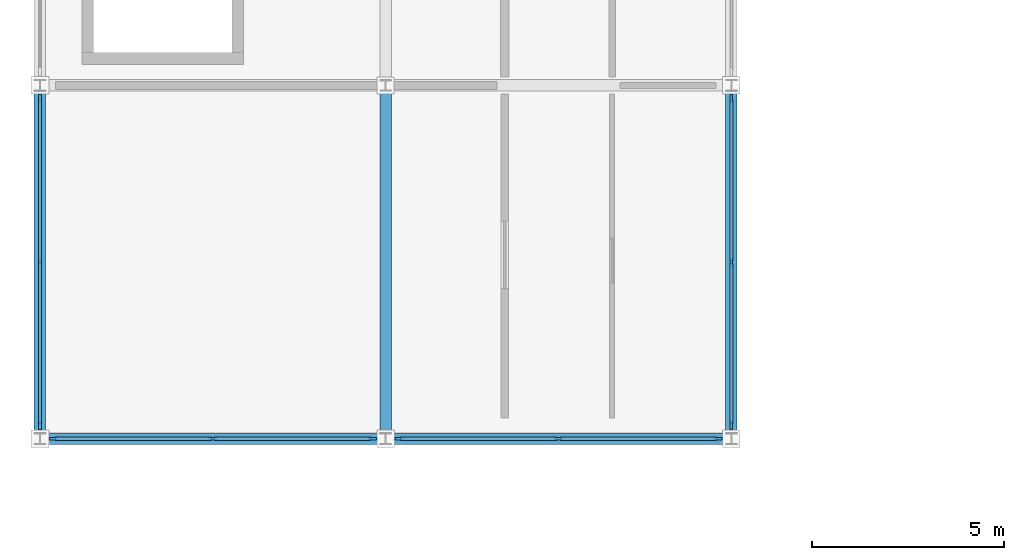
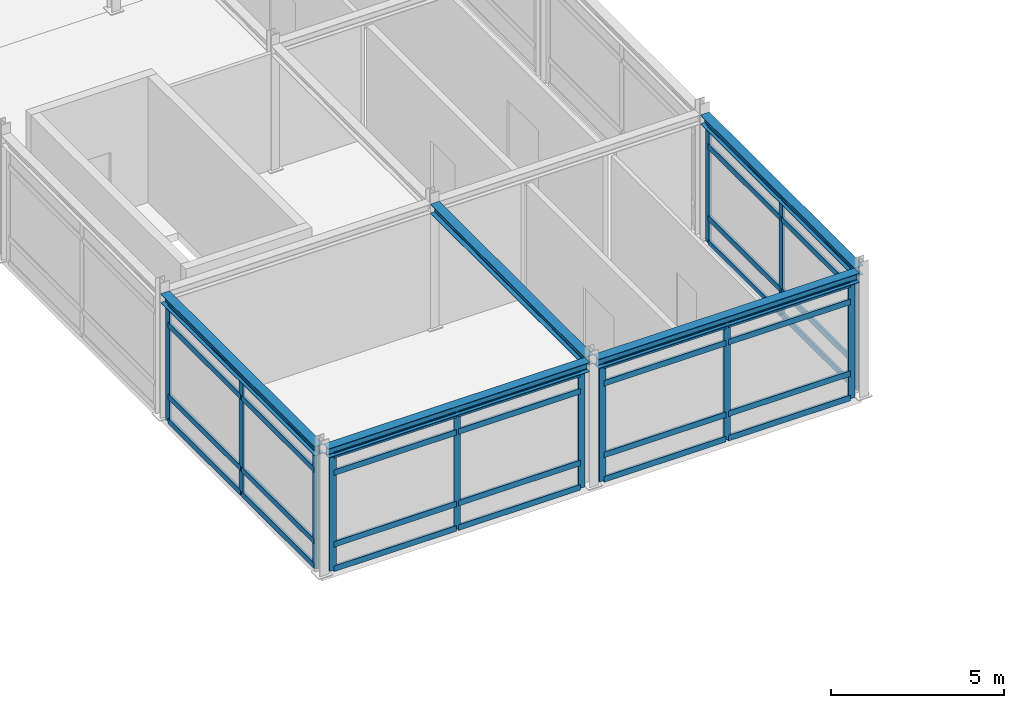
# One storey, part 21 of 90: 44 members, 5 beams, 4 elements without a shape of their own.
"""IFC4 building model written with IfcOpenShell, lengths in metres."""

from ifc_helpers import new_model, si_unit, direction, frame, origin, origin_2d, place, context, subcontext, project, spatial, rectangle, i_section, extrude, material, material_profile, profile_set, type_object, element, aggregate, save


model = new_model("IFC4")

# Units and contexts
model_context = context("Model", 3, precision=1e-05, world=origin(), true_north=direction((0.0, 1.0)))
body_context = subcontext(model_context, "Body", "Model", "MODEL_VIEW")
ifc_project = project(units=[si_unit("LENGTHUNIT", "METRE"), si_unit("AREAUNIT", "SQUARE_METRE"), si_unit("VOLUMEUNIT", "CUBIC_METRE"), si_unit("PLANEANGLEUNIT", "RADIAN"), si_unit("MASSUNIT", "GRAM", prefix="KILO")], contexts=[model_context])

# Site, building, storey
site_placement = place(None, origin())
site = spatial("IfcSite", under=ifc_project, at=site_placement, CompositionType="ELEMENT")
building_placement = place(site_placement, origin())
building = spatial("IfcBuilding", under=site, at=building_placement, Name="Bozkorgan Art Gallery", CompositionType="ELEMENT")
storey_placement = place(building_placement, frame((0.0, 0.0, 5.39990234375)))
storey = spatial("IfcBuildingStorey", under=building, at=storey_placement, Name="L01", CompositionType="ELEMENT", Elevation=5.39990234375)

# Beams
ifc_material_1 = material(Name="Steel S355J2", Category="steel")
ifc_material_profile_1 = material_profile(ifc_material_1, i_section(OverallWidth=0.300048828125, OverallDepth=0.330078125, WebThickness=0.009521484375, FlangeThickness=0.0166015625, FilletRadius=0.027099609375, at=origin_2d()), Name="HEA 340")
ifc_profile_set_1 = profile_set([ifc_material_profile_1], Name="Steel S355J2")
beam_type = type_object("IfcBeamType", Name="BEAM-BM-37", PredefinedType="BEAM", material=ifc_profile_set_1)
for number, where, z_axis, x_axis, name in (
    (1, (2.14990234375, 56.800048828125, 4.275146484375), (1.0, 0.0, 0.0), (0.0, 1.0, 0.0), "V2 L01 beam X (2-11, 56.8)"),
    (2, (11.14990234375, 56.800048828125, 4.275146484375), (1.0, 0.0, 0.0), (0.0, 1.0, 0.0), "V2 L01 beam X (11-20, 56.8)"),
):
    element("IfcBeam", number, at=place(storey_placement, frame(where, z_axis=z_axis, x_axis=x_axis)), inside=storey, type_object=beam_type, Name=name, PredefinedType="BEAM", context=body_context, shape_type="SweptSolid", body=[
        extrude(i_section(OverallWidth=0.300048828125, OverallDepth=0.330078125, WebThickness=0.009521484375, FlangeThickness=0.0166015625, FilletRadius=0.027099609375, at=origin_2d()), origin(), (0.0, 0.0, 1.0), 8.7001953125),
    ])
beam_1_placement = place(storey_placement, frame((2.0, 56.949951171875, 4.275146484375), z_axis=(0.0, 1.0, 0.0), x_axis=(-1.0, 0.0, 0.0)))
element("IfcBeam", 3, at=beam_1_placement, inside=storey, type_object=beam_type, Name="V2 L01 beam Y (2, 56.8-66.0)", PredefinedType="BEAM", context=body_context, shape_type="SweptSolid", body=[
    extrude(i_section(OverallWidth=0.300048828125, OverallDepth=0.330078125, WebThickness=0.009521484375, FlangeThickness=0.0166015625, FilletRadius=0.027099609375, at=origin_2d()), origin(), (0.0, 0.0, 1.0), 8.900146484375),
])
beam_2_placement = place(storey_placement, frame((11.0, 56.949951171875, 4.275146484375), z_axis=(0.0, 1.0, 0.0), x_axis=(-1.0, 0.0, 0.0)))
element("IfcBeam", 4, at=beam_2_placement, inside=storey, type_object=beam_type, Name="V2 L01 beam Y (11, 56.8-66.0)", PredefinedType="BEAM", context=body_context, shape_type="SweptSolid", body=[
    extrude(i_section(OverallWidth=0.300048828125, OverallDepth=0.330078125, WebThickness=0.009521484375, FlangeThickness=0.0166015625, FilletRadius=0.027099609375, at=origin_2d()), origin(), (0.0, 0.0, 1.0), 8.91015625),
])
beam_3_placement = place(storey_placement, frame((20.0, 56.949951171875, 4.275146484375), z_axis=(0.0, 1.0, 0.0), x_axis=(-1.0, 0.0, 0.0)))
element("IfcBeam", 5, at=beam_3_placement, inside=storey, type_object=beam_type, Name="V2 L01 beam Y (20, 56.8-66.0)", PredefinedType="BEAM", context=body_context, shape_type="SweptSolid", body=[
    extrude(i_section(OverallWidth=0.300048828125, OverallDepth=0.330078125, WebThickness=0.009521484375, FlangeThickness=0.0166015625, FilletRadius=0.027099609375, at=origin_2d()), origin(), (0.0, 0.0, 1.0), 8.900146484375),
])

# Curtain wall, members
ifc_material_2 = material(Name="Anodised Bronze Aluminium", Category="aluminium")
curtain_wall_type_1 = type_object("IfcCurtainWallType", Name="CW-CW-74", PredefinedType="NOTDEFINED", material=ifc_material_2)
curtain_wall_1_placement = place(storey_placement, origin())
curtain_wall_1 = element("IfcCurtainWall", 6, at=curtain_wall_1_placement, inside=storey, type_object=curtain_wall_type_1, Name="L01 unitised curtain wall CW-V2-L01-1S-01", PredefinedType="NOTDEFINED")
ifc_material_profile_2 = material_profile(ifc_material_2, rectangle(XDim=0.074951171875, YDim=0.219970703125, at=origin_2d()), Name="ALU MULLION 75x220")
ifc_profile_set_2 = profile_set([ifc_material_profile_2], Name="Anodised Bronze Aluminium")
member_type_1 = type_object("IfcMemberType", Name="CWM-02", PredefinedType="MULLION", material=ifc_profile_set_2)
member_1_placement = place(storey_placement, frame((2.3525390625, 56.800048828125, 0.02001953125), z_axis=(0.0, 0.0, 1.0), x_axis=(0.0, 1.0, 0.0)))
member_1 = element("IfcMember", 7, at=member_1_placement, type_object=member_type_1, Name="CW-74 mullion 1", PredefinedType="MULLION", context=body_context, shape_type="SweptSolid", body=[
    extrude(rectangle(XDim=0.074951171875, YDim=0.219970703125, at=origin_2d()), origin(), (0.0, 0.0, 1.0), 4.0751953125),
])
member_2_placement = place(storey_placement, frame((6.5, 56.800048828125, 0.02001953125), z_axis=(0.0, 0.0, 1.0), x_axis=(0.0, 1.0, 0.0)))
member_2 = element("IfcMember", 8, at=member_2_placement, type_object=member_type_1, Name="CW-74 mullion 2", PredefinedType="MULLION", context=body_context, shape_type="SweptSolid", body=[
    extrude(rectangle(XDim=0.074951171875, YDim=0.219970703125, at=origin_2d()), origin(), (0.0, 0.0, 1.0), 4.0751953125),
])
member_3_placement = place(storey_placement, frame((10.6474609375, 56.800048828125, 0.02001953125), z_axis=(0.0, 0.0, 1.0), x_axis=(0.0, 1.0, 0.0)))
member_3 = element("IfcMember", 9, at=member_3_placement, type_object=member_type_1, Name="CW-74 mullion 3", PredefinedType="MULLION", context=body_context, shape_type="SweptSolid", body=[
    extrude(rectangle(XDim=0.074951171875, YDim=0.219970703125, at=origin_2d()), origin(), (0.0, 0.0, 1.0), 4.0751953125),
])

curtain_wall_2_placement = place(storey_placement, origin())
curtain_wall_2 = element("IfcCurtainWall", 10, at=curtain_wall_2_placement, inside=storey, type_object=curtain_wall_type_1, Name="L01 unitised curtain wall CW-V2-L01-1S-03", PredefinedType="NOTDEFINED")
member_4_placement = place(storey_placement, frame((11.3525390625, 56.800048828125, 0.02001953125), z_axis=(0.0, 0.0, 1.0), x_axis=(0.0, 1.0, 0.0)))
member_4 = element("IfcMember", 11, at=member_4_placement, type_object=member_type_1, Name="CW-74 mullion 1", PredefinedType="MULLION", context=body_context, shape_type="SweptSolid", body=[
    extrude(rectangle(XDim=0.074951171875, YDim=0.219970703125, at=origin_2d()), origin(), (0.0, 0.0, 1.0), 4.0751953125),
])
member_5_placement = place(storey_placement, frame((15.5, 56.800048828125, 0.02001953125), z_axis=(0.0, 0.0, 1.0), x_axis=(0.0, 1.0, 0.0)))
member_5 = element("IfcMember", 12, at=member_5_placement, type_object=member_type_1, Name="CW-74 mullion 2", PredefinedType="MULLION", context=body_context, shape_type="SweptSolid", body=[
    extrude(rectangle(XDim=0.074951171875, YDim=0.219970703125, at=origin_2d()), origin(), (0.0, 0.0, 1.0), 4.0751953125),
])
member_6_placement = place(storey_placement, frame((19.6474609375, 56.800048828125, 0.02001953125), z_axis=(0.0, 0.0, 1.0), x_axis=(0.0, 1.0, 0.0)))
member_6 = element("IfcMember", 13, at=member_6_placement, type_object=member_type_1, Name="CW-74 mullion 3", PredefinedType="MULLION", context=body_context, shape_type="SweptSolid", body=[
    extrude(rectangle(XDim=0.074951171875, YDim=0.219970703125, at=origin_2d()), origin(), (0.0, 0.0, 1.0), 4.0751953125),
])

curtain_wall_type_2 = type_object("IfcCurtainWallType", Name="CW-CW-52", PredefinedType="NOTDEFINED", material=ifc_material_2)
curtain_wall_3_placement = place(storey_placement, origin())
curtain_wall_3 = element("IfcCurtainWall", 14, at=curtain_wall_3_placement, inside=storey, type_object=curtain_wall_type_2, Name="L01 unitised curtain wall CW-V2-L01-1W-05", PredefinedType="NOTDEFINED")
member_7_placement = place(storey_placement, frame((2.0, 57.152587890625, 0.02001953125), z_axis=(0.0, 0.0, 1.0), x_axis=(-1.0, 0.0, 0.0)))
member_7 = element("IfcMember", 15, at=member_7_placement, type_object=member_type_1, Name="CW-52 mullion 1", PredefinedType="MULLION", context=body_context, shape_type="SweptSolid", body=[
    extrude(rectangle(XDim=0.074951171875, YDim=0.219970703125, at=origin_2d()), origin(), (0.0, 0.0, 1.0), 4.0751953125),
])
member_8_placement = place(storey_placement, frame((2.0, 61.39990234375, 0.02001953125), z_axis=(0.0, 0.0, 1.0), x_axis=(-1.0, 0.0, 0.0)))
member_8 = element("IfcMember", 16, at=member_8_placement, type_object=member_type_1, Name="CW-52 mullion 2", PredefinedType="MULLION", context=body_context, shape_type="SweptSolid", body=[
    extrude(rectangle(XDim=0.074951171875, YDim=0.219970703125, at=origin_2d()), origin(), (0.0, 0.0, 1.0), 4.0751953125),
])
member_9_placement = place(storey_placement, frame((2.0, 65.6474609375, 0.02001953125), z_axis=(0.0, 0.0, 1.0), x_axis=(-1.0, 0.0, 0.0)))
member_9 = element("IfcMember", 17, at=member_9_placement, type_object=member_type_1, Name="CW-52 mullion 3", PredefinedType="MULLION", context=body_context, shape_type="SweptSolid", body=[
    extrude(rectangle(XDim=0.074951171875, YDim=0.219970703125, at=origin_2d()), origin(), (0.0, 0.0, 1.0), 4.0751953125),
])

curtain_wall_4_placement = place(storey_placement, origin())
curtain_wall_4 = element("IfcCurtainWall", 18, at=curtain_wall_4_placement, inside=storey, type_object=curtain_wall_type_2, Name="L01 unitised curtain wall CW-V2-L01-1E-06", PredefinedType="NOTDEFINED")
member_10_placement = place(storey_placement, frame((20.0, 57.152587890625, 0.02001953125), z_axis=(0.0, 0.0, 1.0), x_axis=(-1.0, 0.0, 0.0)))
member_10 = element("IfcMember", 19, at=member_10_placement, type_object=member_type_1, Name="CW-52 mullion 1", PredefinedType="MULLION", context=body_context, shape_type="SweptSolid", body=[
    extrude(rectangle(XDim=0.074951171875, YDim=0.219970703125, at=origin_2d()), origin(), (0.0, 0.0, 1.0), 4.0751953125),
])
member_11_placement = place(storey_placement, frame((20.0, 61.39990234375, 0.02001953125), z_axis=(0.0, 0.0, 1.0), x_axis=(-1.0, 0.0, 0.0)))
member_11 = element("IfcMember", 20, at=member_11_placement, type_object=member_type_1, Name="CW-52 mullion 2", PredefinedType="MULLION", context=body_context, shape_type="SweptSolid", body=[
    extrude(rectangle(XDim=0.074951171875, YDim=0.219970703125, at=origin_2d()), origin(), (0.0, 0.0, 1.0), 4.0751953125),
])
member_12_placement = place(storey_placement, frame((20.0, 65.6474609375, 0.02001953125), z_axis=(0.0, 0.0, 1.0), x_axis=(-1.0, 0.0, 0.0)))
member_12 = element("IfcMember", 21, at=member_12_placement, type_object=member_type_1, Name="CW-52 mullion 3", PredefinedType="MULLION", context=body_context, shape_type="SweptSolid", body=[
    extrude(rectangle(XDim=0.074951171875, YDim=0.219970703125, at=origin_2d()), origin(), (0.0, 0.0, 1.0), 4.0751953125),
])

# Member
ifc_material_profile_3 = material_profile(ifc_material_2, rectangle(XDim=0.080078125, YDim=0.199951171875, at=origin_2d()), Name="ALU TRANSOM 80x200")
ifc_profile_set_3 = profile_set([ifc_material_profile_3], Name="Anodised Bronze Aluminium")
member_type_2 = type_object("IfcMemberType", Name="CWT-03", PredefinedType="USERDEFINED", material=ifc_profile_set_3)
member_13_placement = place(storey_placement, frame((2.389892578125, 56.800048828125, 0.06005859375), z_axis=(1.0, 0.0, 0.0), x_axis=(0.0, 1.0, 0.0)))
member_13 = element("IfcMember", 22, at=member_13_placement, type_object=member_type_2, Name="CW-74 transom 1.1", ObjectType="TRANSOM", PredefinedType="USERDEFINED", context=body_context, shape_type="SweptSolid", body=[
    extrude(rectangle(XDim=0.080078125, YDim=0.199951171875, at=origin_2d()), origin(), (0.0, 0.0, 1.0), 4.072509765625),
])

member_14_placement = place(storey_placement, frame((2.389892578125, 56.800048828125, 0.920166015625), z_axis=(1.0, 0.0, 0.0), x_axis=(0.0, 1.0, 0.0)))
member_14 = element("IfcMember", 23, at=member_14_placement, type_object=member_type_2, Name="CW-74 transom 1.2", ObjectType="TRANSOM", PredefinedType="USERDEFINED", context=body_context, shape_type="SweptSolid", body=[
    extrude(rectangle(XDim=0.080078125, YDim=0.199951171875, at=origin_2d()), origin(), (0.0, 0.0, 1.0), 4.072509765625),
])

member_15_placement = place(storey_placement, frame((2.389892578125, 56.800048828125, 3.445068359375), z_axis=(1.0, 0.0, 0.0), x_axis=(0.0, 1.0, 0.0)))
member_15 = element("IfcMember", 24, at=member_15_placement, type_object=member_type_2, Name="CW-74 transom 1.3", ObjectType="TRANSOM", PredefinedType="USERDEFINED", context=body_context, shape_type="SweptSolid", body=[
    extrude(rectangle(XDim=0.080078125, YDim=0.199951171875, at=origin_2d()), origin(), (0.0, 0.0, 1.0), 4.072509765625),
])

member_16_placement = place(storey_placement, frame((2.389892578125, 56.800048828125, 4.05517578125), z_axis=(1.0, 0.0, 0.0), x_axis=(0.0, 1.0, 0.0)))
member_16 = element("IfcMember", 25, at=member_16_placement, type_object=member_type_2, Name="CW-74 transom 1.4", ObjectType="TRANSOM", PredefinedType="USERDEFINED", context=body_context, shape_type="SweptSolid", body=[
    extrude(rectangle(XDim=0.080078125, YDim=0.199951171875, at=origin_2d()), origin(), (0.0, 0.0, 1.0), 4.072509765625),
])

member_17_placement = place(storey_placement, frame((6.53759765625, 56.800048828125, 0.06005859375), z_axis=(1.0, 0.0, 0.0), x_axis=(0.0, 1.0, 0.0)))
member_17 = element("IfcMember", 26, at=member_17_placement, type_object=member_type_2, Name="CW-74 transom 2.1", ObjectType="TRANSOM", PredefinedType="USERDEFINED", context=body_context, shape_type="SweptSolid", body=[
    extrude(rectangle(XDim=0.080078125, YDim=0.199951171875, at=origin_2d()), origin(), (0.0, 0.0, 1.0), 4.072509765625),
])

member_18_placement = place(storey_placement, frame((6.53759765625, 56.800048828125, 0.920166015625), z_axis=(1.0, 0.0, 0.0), x_axis=(0.0, 1.0, 0.0)))
member_18 = element("IfcMember", 27, at=member_18_placement, type_object=member_type_2, Name="CW-74 transom 2.2", ObjectType="TRANSOM", PredefinedType="USERDEFINED", context=body_context, shape_type="SweptSolid", body=[
    extrude(rectangle(XDim=0.080078125, YDim=0.199951171875, at=origin_2d()), origin(), (0.0, 0.0, 1.0), 4.072509765625),
])

member_19_placement = place(storey_placement, frame((6.53759765625, 56.800048828125, 3.445068359375), z_axis=(1.0, 0.0, 0.0), x_axis=(0.0, 1.0, 0.0)))
member_19 = element("IfcMember", 28, at=member_19_placement, type_object=member_type_2, Name="CW-74 transom 2.3", ObjectType="TRANSOM", PredefinedType="USERDEFINED", context=body_context, shape_type="SweptSolid", body=[
    extrude(rectangle(XDim=0.080078125, YDim=0.199951171875, at=origin_2d()), origin(), (0.0, 0.0, 1.0), 4.072509765625),
])

member_20_placement = place(storey_placement, frame((6.53759765625, 56.800048828125, 4.05517578125), z_axis=(1.0, 0.0, 0.0), x_axis=(0.0, 1.0, 0.0)))
member_20 = element("IfcMember", 29, at=member_20_placement, type_object=member_type_2, Name="CW-74 transom 2.4", ObjectType="TRANSOM", PredefinedType="USERDEFINED", context=body_context, shape_type="SweptSolid", body=[
    extrude(rectangle(XDim=0.080078125, YDim=0.199951171875, at=origin_2d()), origin(), (0.0, 0.0, 1.0), 4.072509765625),
])

aggregate(curtain_wall_1, [member_1, member_2, member_3, member_13, member_14, member_15, member_16, member_17, member_18, member_19, member_20])

member_21_placement = place(storey_placement, frame((11.389892578125, 56.800048828125, 0.06005859375), z_axis=(1.0, 0.0, 0.0), x_axis=(0.0, 1.0, 0.0)))
member_21 = element("IfcMember", 30, at=member_21_placement, type_object=member_type_2, Name="CW-74 transom 1.1", ObjectType="TRANSOM", PredefinedType="USERDEFINED", context=body_context, shape_type="SweptSolid", body=[
    extrude(rectangle(XDim=0.080078125, YDim=0.199951171875, at=origin_2d()), origin(), (0.0, 0.0, 1.0), 4.072509765625),
])

member_22_placement = place(storey_placement, frame((11.389892578125, 56.800048828125, 0.920166015625), z_axis=(1.0, 0.0, 0.0), x_axis=(0.0, 1.0, 0.0)))
member_22 = element("IfcMember", 31, at=member_22_placement, type_object=member_type_2, Name="CW-74 transom 1.2", ObjectType="TRANSOM", PredefinedType="USERDEFINED", context=body_context, shape_type="SweptSolid", body=[
    extrude(rectangle(XDim=0.080078125, YDim=0.199951171875, at=origin_2d()), origin(), (0.0, 0.0, 1.0), 4.072509765625),
])

member_23_placement = place(storey_placement, frame((11.389892578125, 56.800048828125, 3.445068359375), z_axis=(1.0, 0.0, 0.0), x_axis=(0.0, 1.0, 0.0)))
member_23 = element("IfcMember", 32, at=member_23_placement, type_object=member_type_2, Name="CW-74 transom 1.3", ObjectType="TRANSOM", PredefinedType="USERDEFINED", context=body_context, shape_type="SweptSolid", body=[
    extrude(rectangle(XDim=0.080078125, YDim=0.199951171875, at=origin_2d()), origin(), (0.0, 0.0, 1.0), 4.072509765625),
])

member_24_placement = place(storey_placement, frame((11.389892578125, 56.800048828125, 4.05517578125), z_axis=(1.0, 0.0, 0.0), x_axis=(0.0, 1.0, 0.0)))
member_24 = element("IfcMember", 33, at=member_24_placement, type_object=member_type_2, Name="CW-74 transom 1.4", ObjectType="TRANSOM", PredefinedType="USERDEFINED", context=body_context, shape_type="SweptSolid", body=[
    extrude(rectangle(XDim=0.080078125, YDim=0.199951171875, at=origin_2d()), origin(), (0.0, 0.0, 1.0), 4.072509765625),
])

member_25_placement = place(storey_placement, frame((15.53759765625, 56.800048828125, 0.06005859375), z_axis=(1.0, 0.0, 0.0), x_axis=(0.0, 1.0, 0.0)))
member_25 = element("IfcMember", 34, at=member_25_placement, type_object=member_type_2, Name="CW-74 transom 2.1", ObjectType="TRANSOM", PredefinedType="USERDEFINED", context=body_context, shape_type="SweptSolid", body=[
    extrude(rectangle(XDim=0.080078125, YDim=0.199951171875, at=origin_2d()), origin(), (0.0, 0.0, 1.0), 4.072509765625),
])

member_26_placement = place(storey_placement, frame((15.53759765625, 56.800048828125, 0.920166015625), z_axis=(1.0, 0.0, 0.0), x_axis=(0.0, 1.0, 0.0)))
member_26 = element("IfcMember", 35, at=member_26_placement, type_object=member_type_2, Name="CW-74 transom 2.2", ObjectType="TRANSOM", PredefinedType="USERDEFINED", context=body_context, shape_type="SweptSolid", body=[
    extrude(rectangle(XDim=0.080078125, YDim=0.199951171875, at=origin_2d()), origin(), (0.0, 0.0, 1.0), 4.072509765625),
])

member_27_placement = place(storey_placement, frame((15.53759765625, 56.800048828125, 3.445068359375), z_axis=(1.0, 0.0, 0.0), x_axis=(0.0, 1.0, 0.0)))
member_27 = element("IfcMember", 36, at=member_27_placement, type_object=member_type_2, Name="CW-74 transom 2.3", ObjectType="TRANSOM", PredefinedType="USERDEFINED", context=body_context, shape_type="SweptSolid", body=[
    extrude(rectangle(XDim=0.080078125, YDim=0.199951171875, at=origin_2d()), origin(), (0.0, 0.0, 1.0), 4.072509765625),
])

member_28_placement = place(storey_placement, frame((15.53759765625, 56.800048828125, 4.05517578125), z_axis=(1.0, 0.0, 0.0), x_axis=(0.0, 1.0, 0.0)))
member_28 = element("IfcMember", 37, at=member_28_placement, type_object=member_type_2, Name="CW-74 transom 2.4", ObjectType="TRANSOM", PredefinedType="USERDEFINED", context=body_context, shape_type="SweptSolid", body=[
    extrude(rectangle(XDim=0.080078125, YDim=0.199951171875, at=origin_2d()), origin(), (0.0, 0.0, 1.0), 4.072509765625),
])

aggregate(curtain_wall_2, [member_4, member_5, member_6, member_21, member_22, member_23, member_24, member_25, member_26, member_27, member_28])

member_29_placement = place(storey_placement, frame((2.0, 57.18994140625, 0.06005859375), z_axis=(0.0, 1.0, 0.0), x_axis=(-1.0, 0.0, 0.0)))
member_29 = element("IfcMember", 38, at=member_29_placement, type_object=member_type_2, Name="CW-52 transom 1.1", ObjectType="TRANSOM", PredefinedType="USERDEFINED", context=body_context, shape_type="SweptSolid", body=[
    extrude(rectangle(XDim=0.080078125, YDim=0.199951171875, at=origin_2d()), origin(), (0.0, 0.0, 1.0), 4.172607421875),
])

member_30_placement = place(storey_placement, frame((2.0, 57.18994140625, 0.920166015625), z_axis=(0.0, 1.0, 0.0), x_axis=(-1.0, 0.0, 0.0)))
member_30 = element("IfcMember", 39, at=member_30_placement, type_object=member_type_2, Name="CW-52 transom 1.2", ObjectType="TRANSOM", PredefinedType="USERDEFINED", context=body_context, shape_type="SweptSolid", body=[
    extrude(rectangle(XDim=0.080078125, YDim=0.199951171875, at=origin_2d()), origin(), (0.0, 0.0, 1.0), 4.172607421875),
])

member_31_placement = place(storey_placement, frame((2.0, 57.18994140625, 3.445068359375), z_axis=(0.0, 1.0, 0.0), x_axis=(-1.0, 0.0, 0.0)))
member_31 = element("IfcMember", 40, at=member_31_placement, type_object=member_type_2, Name="CW-52 transom 1.3", ObjectType="TRANSOM", PredefinedType="USERDEFINED", context=body_context, shape_type="SweptSolid", body=[
    extrude(rectangle(XDim=0.080078125, YDim=0.199951171875, at=origin_2d()), origin(), (0.0, 0.0, 1.0), 4.172607421875),
])

member_32_placement = place(storey_placement, frame((2.0, 57.18994140625, 4.05517578125), z_axis=(0.0, 1.0, 0.0), x_axis=(-1.0, 0.0, 0.0)))
member_32 = element("IfcMember", 41, at=member_32_placement, type_object=member_type_2, Name="CW-52 transom 1.4", ObjectType="TRANSOM", PredefinedType="USERDEFINED", context=body_context, shape_type="SweptSolid", body=[
    extrude(rectangle(XDim=0.080078125, YDim=0.199951171875, at=origin_2d()), origin(), (0.0, 0.0, 1.0), 4.172607421875),
])

member_33_placement = place(storey_placement, frame((2.0, 61.4375, 0.06005859375), z_axis=(0.0, 1.0, 0.0), x_axis=(-1.0, 0.0, 0.0)))
member_33 = element("IfcMember", 42, at=member_33_placement, type_object=member_type_2, Name="CW-52 transom 2.1", ObjectType="TRANSOM", PredefinedType="USERDEFINED", context=body_context, shape_type="SweptSolid", body=[
    extrude(rectangle(XDim=0.080078125, YDim=0.199951171875, at=origin_2d()), origin(), (0.0, 0.0, 1.0), 4.172607421875),
])

member_34_placement = place(storey_placement, frame((2.0, 61.4375, 0.920166015625), z_axis=(0.0, 1.0, 0.0), x_axis=(-1.0, 0.0, 0.0)))
member_34 = element("IfcMember", 43, at=member_34_placement, type_object=member_type_2, Name="CW-52 transom 2.2", ObjectType="TRANSOM", PredefinedType="USERDEFINED", context=body_context, shape_type="SweptSolid", body=[
    extrude(rectangle(XDim=0.080078125, YDim=0.199951171875, at=origin_2d()), origin(), (0.0, 0.0, 1.0), 4.172607421875),
])

member_35_placement = place(storey_placement, frame((2.0, 61.4375, 3.445068359375), z_axis=(0.0, 1.0, 0.0), x_axis=(-1.0, 0.0, 0.0)))
member_35 = element("IfcMember", 44, at=member_35_placement, type_object=member_type_2, Name="CW-52 transom 2.3", ObjectType="TRANSOM", PredefinedType="USERDEFINED", context=body_context, shape_type="SweptSolid", body=[
    extrude(rectangle(XDim=0.080078125, YDim=0.199951171875, at=origin_2d()), origin(), (0.0, 0.0, 1.0), 4.172607421875),
])

member_36_placement = place(storey_placement, frame((2.0, 61.4375, 4.05517578125), z_axis=(0.0, 1.0, 0.0), x_axis=(-1.0, 0.0, 0.0)))
member_36 = element("IfcMember", 45, at=member_36_placement, type_object=member_type_2, Name="CW-52 transom 2.4", ObjectType="TRANSOM", PredefinedType="USERDEFINED", context=body_context, shape_type="SweptSolid", body=[
    extrude(rectangle(XDim=0.080078125, YDim=0.199951171875, at=origin_2d()), origin(), (0.0, 0.0, 1.0), 4.172607421875),
])

aggregate(curtain_wall_3, [member_7, member_8, member_9, member_29, member_30, member_31, member_32, member_33, member_34, member_35, member_36])

member_37_placement = place(storey_placement, frame((20.0, 57.18994140625, 0.06005859375), z_axis=(0.0, 1.0, 0.0), x_axis=(-1.0, 0.0, 0.0)))
member_37 = element("IfcMember", 46, at=member_37_placement, type_object=member_type_2, Name="CW-52 transom 1.1", ObjectType="TRANSOM", PredefinedType="USERDEFINED", context=body_context, shape_type="SweptSolid", body=[
    extrude(rectangle(XDim=0.080078125, YDim=0.199951171875, at=origin_2d()), origin(), (0.0, 0.0, 1.0), 4.172607421875),
])

member_38_placement = place(storey_placement, frame((20.0, 57.18994140625, 0.920166015625), z_axis=(0.0, 1.0, 0.0), x_axis=(-1.0, 0.0, 0.0)))
member_38 = element("IfcMember", 47, at=member_38_placement, type_object=member_type_2, Name="CW-52 transom 1.2", ObjectType="TRANSOM", PredefinedType="USERDEFINED", context=body_context, shape_type="SweptSolid", body=[
    extrude(rectangle(XDim=0.080078125, YDim=0.199951171875, at=origin_2d()), origin(), (0.0, 0.0, 1.0), 4.172607421875),
])

member_39_placement = place(storey_placement, frame((20.0, 57.18994140625, 3.445068359375), z_axis=(0.0, 1.0, 0.0), x_axis=(-1.0, 0.0, 0.0)))
member_39 = element("IfcMember", 48, at=member_39_placement, type_object=member_type_2, Name="CW-52 transom 1.3", ObjectType="TRANSOM", PredefinedType="USERDEFINED", context=body_context, shape_type="SweptSolid", body=[
    extrude(rectangle(XDim=0.080078125, YDim=0.199951171875, at=origin_2d()), origin(), (0.0, 0.0, 1.0), 4.172607421875),
])

member_40_placement = place(storey_placement, frame((20.0, 57.18994140625, 4.05517578125), z_axis=(0.0, 1.0, 0.0), x_axis=(-1.0, 0.0, 0.0)))
member_40 = element("IfcMember", 49, at=member_40_placement, type_object=member_type_2, Name="CW-52 transom 1.4", ObjectType="TRANSOM", PredefinedType="USERDEFINED", context=body_context, shape_type="SweptSolid", body=[
    extrude(rectangle(XDim=0.080078125, YDim=0.199951171875, at=origin_2d()), origin(), (0.0, 0.0, 1.0), 4.172607421875),
])

member_41_placement = place(storey_placement, frame((20.0, 61.4375, 0.06005859375), z_axis=(0.0, 1.0, 0.0), x_axis=(-1.0, 0.0, 0.0)))
member_41 = element("IfcMember", 50, at=member_41_placement, type_object=member_type_2, Name="CW-52 transom 2.1", ObjectType="TRANSOM", PredefinedType="USERDEFINED", context=body_context, shape_type="SweptSolid", body=[
    extrude(rectangle(XDim=0.080078125, YDim=0.199951171875, at=origin_2d()), origin(), (0.0, 0.0, 1.0), 4.172607421875),
])

member_42_placement = place(storey_placement, frame((20.0, 61.4375, 0.920166015625), z_axis=(0.0, 1.0, 0.0), x_axis=(-1.0, 0.0, 0.0)))
member_42 = element("IfcMember", 51, at=member_42_placement, type_object=member_type_2, Name="CW-52 transom 2.2", ObjectType="TRANSOM", PredefinedType="USERDEFINED", context=body_context, shape_type="SweptSolid", body=[
    extrude(rectangle(XDim=0.080078125, YDim=0.199951171875, at=origin_2d()), origin(), (0.0, 0.0, 1.0), 4.172607421875),
])

member_43_placement = place(storey_placement, frame((20.0, 61.4375, 3.445068359375), z_axis=(0.0, 1.0, 0.0), x_axis=(-1.0, 0.0, 0.0)))
member_43 = element("IfcMember", 52, at=member_43_placement, type_object=member_type_2, Name="CW-52 transom 2.3", ObjectType="TRANSOM", PredefinedType="USERDEFINED", context=body_context, shape_type="SweptSolid", body=[
    extrude(rectangle(XDim=0.080078125, YDim=0.199951171875, at=origin_2d()), origin(), (0.0, 0.0, 1.0), 4.172607421875),
])

member_44_placement = place(storey_placement, frame((20.0, 61.4375, 4.05517578125), z_axis=(0.0, 1.0, 0.0), x_axis=(-1.0, 0.0, 0.0)))
member_44 = element("IfcMember", 53, at=member_44_placement, type_object=member_type_2, Name="CW-52 transom 2.4", ObjectType="TRANSOM", PredefinedType="USERDEFINED", context=body_context, shape_type="SweptSolid", body=[
    extrude(rectangle(XDim=0.080078125, YDim=0.199951171875, at=origin_2d()), origin(), (0.0, 0.0, 1.0), 4.172607421875),
])

aggregate(curtain_wall_4, [member_10, member_11, member_12, member_37, member_38, member_39, member_40, member_41, member_42, member_43, member_44])

save(model, "model.ifc")
